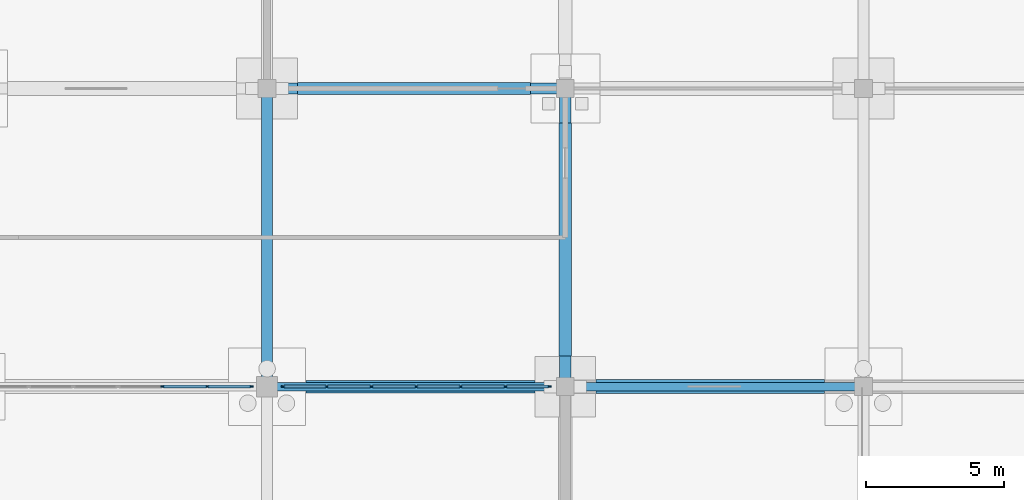
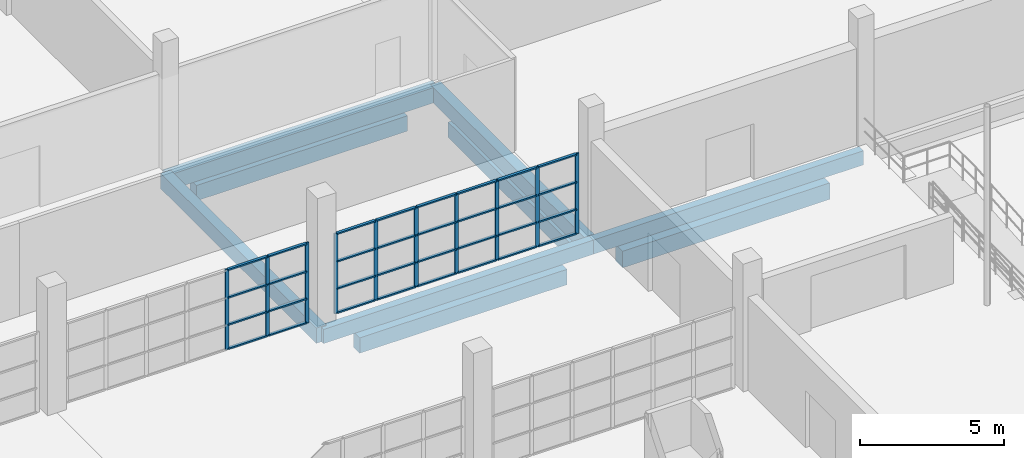
# One storey, part 77 of 138: 42 members, 9 beams, 2 elements without a shape of their own.
"""IFC4 building model written with IfcOpenShell, lengths in metres."""

from ifc_helpers import new_model, si_unit, direction, frame, origin, origin_2d, place, context, subcontext, project, spatial, rectangle, extrude, material, material_profile, profile_set, type_object, element, aggregate, save


model = new_model("IFC4")

# Units and contexts
model_context = context("Model", 3, precision=1e-05, world=origin(), true_north=direction((0.0, 1.0)))
body_context = subcontext(model_context, "Body", "Model", "MODEL_VIEW")
ifc_project = project(units=[si_unit("LENGTHUNIT", "METRE"), si_unit("AREAUNIT", "SQUARE_METRE"), si_unit("VOLUMEUNIT", "CUBIC_METRE"), si_unit("PLANEANGLEUNIT", "RADIAN"), si_unit("MASSUNIT", "GRAM", prefix="KILO")], contexts=[model_context])

# Site, building, storey
site_placement = place(None, origin())
site = spatial("IfcSite", under=ifc_project, at=site_placement, CompositionType="ELEMENT")
building_placement = place(site_placement, origin())
building = spatial("IfcBuilding", under=site, at=building_placement, Name="Zwinboog Wholesale Market", CompositionType="ELEMENT")
storey_placement = place(building_placement, origin())
storey = spatial("IfcBuildingStorey", under=building, at=storey_placement, Name="L00", CompositionType="ELEMENT", Elevation=0.0)

# Beams
ifc_material_1 = material(Name="Precast concrete C45/55", Category="concrete")
ifc_material_profile_1 = material_profile(ifc_material_1, rectangle(XDim=0.39990234375, YDim=0.64990234375, at=origin_2d()), Name="PC 400x650")
ifc_profile_set_1 = profile_set([ifc_material_profile_1], Name="Precast concrete C45/55")
beam_type_1 = type_object("IfcBeamType", Name="BT-05", PredefinedType="BEAM", material=ifc_profile_set_1)
for number, where, z_axis, x_axis, name in (
    (1, (162.0, 108.0, -0.719970703125), (1.0, 0.0, 0.0), (0.0, 1.0, 0.0), "BG-05 (BMG-L00-1620-1080-0166)"),
    (2, (162.0, 97.199951171875, -0.680908203125), (0.0, 1.0, 0.0), (-1.0, 0.0, 0.0), "BG-05 (BMG-L00-1620-0972-0374)"),
    (3, (172.800048828125, 97.199951171875, -0.719970703125), (0.0, 1.0, 0.0), (-1.0, 0.0, 0.0), "BG-05 (BMG-L00-1728-0972-0386)"),
):
    element("IfcBeam", number, at=place(storey_placement, frame(where, z_axis=z_axis, x_axis=x_axis)), inside=storey, type_object=beam_type_1, Name=name, PredefinedType="BEAM", context=body_context, shape_type="SweptSolid", body=[
        extrude(rectangle(XDim=0.39990234375, YDim=0.64990234375, at=origin_2d()), origin(), (0.0, 0.0, 1.0), 10.800048828125),
    ])
ifc_material_profile_2 = material_profile(ifc_material_1, rectangle(XDim=0.300048828125, YDim=0.60009765625, at=origin_2d()), Name="PC 300x600")
ifc_profile_set_2 = profile_set([ifc_material_profile_2], Name="Precast concrete C45/55")
beam_type_2 = type_object("IfcBeamType", Name="BT-09", PredefinedType="SPANDREL", material=ifc_profile_set_2)
for number, where, z_axis, x_axis, name in (
    (4, (162.0, 97.199951171875, -0.695068359375), (1.0, 0.0, 0.0), (0.0, 1.0, 0.0), "SP-02 (BMG-L00-1620-0972-0146)"),
    (5, (172.800048828125, 97.199951171875, -0.695068359375), (1.0, 0.0, 0.0), (0.0, 1.0, 0.0), "SP-02 (BMG-L00-1728-0972-0147)"),
):
    element("IfcBeam", number, at=place(storey_placement, frame(where, z_axis=z_axis, x_axis=x_axis)), inside=storey, type_object=beam_type_2, Name=name, PredefinedType="SPANDREL", context=body_context, shape_type="SweptSolid", body=[
        extrude(rectangle(XDim=0.300048828125, YDim=0.60009765625, at=origin_2d()), origin(), (0.0, 0.0, 1.0), 10.800048828125),
    ])
ifc_material_2 = material(Name="Concrete C35/45", Category="concrete")
ifc_material_profile_3 = material_profile(ifc_material_2, rectangle(XDim=0.5, YDim=0.699951171875, at=origin_2d()), Name="RC 500x700")
ifc_profile_set_3 = profile_set([ifc_material_profile_3], Name="Concrete C35/45")
beam_type_3 = type_object("IfcBeamType", Name="BT-12", PredefinedType="USERDEFINED", material=ifc_profile_set_3)
beam_1_placement = place(storey_placement, frame((173.905029296875, 97.199951171875, -1.550048828125), z_axis=(1.0, 0.0, 0.0), x_axis=(0.0, 1.0, 0.0)))
element("IfcBeam", 6, at=beam_1_placement, inside=storey, type_object=beam_type_3, Name="GB-01 (BM-GB-0083)", ObjectType="GROUND_BEAM", PredefinedType="USERDEFINED", context=body_context, shape_type="SweptSolid", body=[
    extrude(rectangle(XDim=0.5, YDim=0.699951171875, at=origin_2d()), origin(), (0.0, 0.0, 1.0), 8.2900390625),
])
ifc_material_profile_4 = material_profile(ifc_material_2, rectangle(XDim=0.449951171875, YDim=0.64990234375, at=origin_2d()), Name="RC 450x650")
ifc_profile_set_4 = profile_set([ifc_material_profile_4], Name="Concrete C35/45")
beam_type_4 = type_object("IfcBeamType", Name="BT-13", PredefinedType="USERDEFINED", material=ifc_profile_set_4)
beam_2_placement = place(storey_placement, frame((163.405029296875, 97.199951171875, -1.52490234375), z_axis=(1.0, 0.0, 0.0), x_axis=(0.0, 1.0, 0.0)))
element("IfcBeam", 7, at=beam_2_placement, inside=storey, type_object=beam_type_4, Name="GB-02 (BM-GB-0082)", ObjectType="GROUND_BEAM", PredefinedType="USERDEFINED", context=body_context, shape_type="SweptSolid", body=[
    extrude(rectangle(XDim=0.449951171875, YDim=0.64990234375, at=origin_2d()), origin(), (0.0, 0.0, 1.0), 8.2900390625),
])
beam_3_placement = place(storey_placement, frame((163.10498046875, 108.0, -1.52490234375), z_axis=(1.0, 0.0, 0.0), x_axis=(0.0, 1.0, 0.0)))
element("IfcBeam", 8, at=beam_3_placement, inside=storey, type_object=beam_type_4, Name="GB-02 (BM-GB-0102)", ObjectType="GROUND_BEAM", PredefinedType="USERDEFINED", context=body_context, shape_type="SweptSolid", body=[
    extrude(rectangle(XDim=0.449951171875, YDim=0.64990234375, at=origin_2d()), origin(), (0.0, 0.0, 1.0), 8.43994140625),
])
beam_4_placement = place(storey_placement, frame((172.800048828125, 98.304931640625, -1.52490234375), z_axis=(0.0, 1.0, 0.0), x_axis=(-1.0, 0.0, 0.0)))
element("IfcBeam", 9, at=beam_4_placement, inside=storey, type_object=beam_type_4, Name="GB-02 (BM-GB-0205)", ObjectType="GROUND_BEAM", PredefinedType="USERDEFINED", context=body_context, shape_type="SweptSolid", body=[
    extrude(rectangle(XDim=0.449951171875, YDim=0.64990234375, at=origin_2d()), origin(), (0.0, 0.0, 1.0), 8.440185546875),
])

# Curtain wall, members
ifc_material_3 = material(Name="Aluminium thermally broken curtain wall", Category="aluminium")
curtain_wall_type = type_object("IfcCurtainWallType", Name="CWT-INT-STALL", PredefinedType="USERDEFINED", material=ifc_material_3)
curtain_wall_1_placement = place(storey_placement, origin())
curtain_wall_1 = element("IfcCurtainWall", 10, at=curtain_wall_1_placement, inside=storey, type_object=curtain_wall_type, Name="CW-07 (CW-STL-207)", ObjectType="STOREFRONT_GLAZING", PredefinedType="USERDEFINED")
ifc_material_4 = material(Name="Aluminium EN AW-6060", Category="aluminium")
ifc_material_profile_5 = material_profile(ifc_material_4, rectangle(XDim=0.06005859375, YDim=0.14990234375, at=origin_2d()), Name="AL 60x150")
ifc_profile_set_5 = profile_set([ifc_material_profile_5], Name="Aluminium EN AW-6060")
member_type_1 = type_object("IfcMemberType", Name="CWM-INT-60x120", PredefinedType="MULLION", material=ifc_profile_set_5)
member_1_placement = place(storey_placement, frame((158.216552734375, 97.199951171875, 0.0), z_axis=(0.0, 0.0, 1.0), x_axis=(0.0, 1.0, 0.0)))
member_1 = element("IfcMember", 11, at=member_1_placement, type_object=member_type_1, Name="CW-07 mullion 5", PredefinedType="MULLION", context=body_context, shape_type="SweptSolid", body=[
    extrude(rectangle(XDim=0.06005859375, YDim=0.14990234375, at=origin_2d()), origin(), (0.0, 0.0, 1.0), 3.39990234375),
])
member_2_placement = place(storey_placement, frame((159.833251953125, 97.199951171875, 0.0), z_axis=(0.0, 0.0, 1.0), x_axis=(0.0, 1.0, 0.0)))
member_2 = element("IfcMember", 12, at=member_2_placement, type_object=member_type_1, Name="CW-07 mullion 6", PredefinedType="MULLION", context=body_context, shape_type="SweptSolid", body=[
    extrude(rectangle(XDim=0.06005859375, YDim=0.14990234375, at=origin_2d()), origin(), (0.0, 0.0, 1.0), 3.39990234375),
])
member_3_placement = place(storey_placement, frame((161.419921875, 97.199951171875, 0.0), z_axis=(0.0, 0.0, 1.0), x_axis=(0.0, 1.0, 0.0)))
member_3 = element("IfcMember", 13, at=member_3_placement, type_object=member_type_1, Name="CW-07 mullion 7", PredefinedType="MULLION", context=body_context, shape_type="SweptSolid", body=[
    extrude(rectangle(XDim=0.06005859375, YDim=0.14990234375, at=origin_2d()), origin(), (0.0, 0.0, 1.0), 3.39990234375),
])

curtain_wall_2_placement = place(storey_placement, origin())
curtain_wall_2 = element("IfcCurtainWall", 14, at=curtain_wall_2_placement, inside=storey, type_object=curtain_wall_type, Name="CW-07 (CW-STL-208)", ObjectType="STOREFRONT_GLAZING", PredefinedType="USERDEFINED")
member_4_placement = place(storey_placement, frame((162.580078125, 97.199951171875, 0.0), z_axis=(0.0, 0.0, 1.0), x_axis=(0.0, 1.0, 0.0)))
member_4 = element("IfcMember", 15, at=member_4_placement, type_object=member_type_1, Name="CW-07 mullion 1", PredefinedType="MULLION", context=body_context, shape_type="SweptSolid", body=[
    extrude(rectangle(XDim=0.06005859375, YDim=0.14990234375, at=origin_2d()), origin(), (0.0, 0.0, 1.0), 3.39990234375),
])
member_5_placement = place(storey_placement, frame((164.166748046875, 97.199951171875, 0.0), z_axis=(0.0, 0.0, 1.0), x_axis=(0.0, 1.0, 0.0)))
member_5 = element("IfcMember", 16, at=member_5_placement, type_object=member_type_1, Name="CW-07 mullion 2", PredefinedType="MULLION", context=body_context, shape_type="SweptSolid", body=[
    extrude(rectangle(XDim=0.06005859375, YDim=0.14990234375, at=origin_2d()), origin(), (0.0, 0.0, 1.0), 3.39990234375),
])
member_6_placement = place(storey_placement, frame((165.783447265625, 97.199951171875, 0.0), z_axis=(0.0, 0.0, 1.0), x_axis=(0.0, 1.0, 0.0)))
member_6 = element("IfcMember", 17, at=member_6_placement, type_object=member_type_1, Name="CW-07 mullion 3", PredefinedType="MULLION", context=body_context, shape_type="SweptSolid", body=[
    extrude(rectangle(XDim=0.06005859375, YDim=0.14990234375, at=origin_2d()), origin(), (0.0, 0.0, 1.0), 3.39990234375),
])
member_7_placement = place(storey_placement, frame((167.39990234375, 97.199951171875, 0.0), z_axis=(0.0, 0.0, 1.0), x_axis=(0.0, 1.0, 0.0)))
member_7 = element("IfcMember", 18, at=member_7_placement, type_object=member_type_1, Name="CW-07 mullion 4", PredefinedType="MULLION", context=body_context, shape_type="SweptSolid", body=[
    extrude(rectangle(XDim=0.06005859375, YDim=0.14990234375, at=origin_2d()), origin(), (0.0, 0.0, 1.0), 3.39990234375),
])
member_8_placement = place(storey_placement, frame((169.0166015625, 97.199951171875, 0.0), z_axis=(0.0, 0.0, 1.0), x_axis=(0.0, 1.0, 0.0)))
member_8 = element("IfcMember", 19, at=member_8_placement, type_object=member_type_1, Name="CW-07 mullion 5", PredefinedType="MULLION", context=body_context, shape_type="SweptSolid", body=[
    extrude(rectangle(XDim=0.06005859375, YDim=0.14990234375, at=origin_2d()), origin(), (0.0, 0.0, 1.0), 3.39990234375),
])
member_9_placement = place(storey_placement, frame((170.63330078125, 97.199951171875, 0.0), z_axis=(0.0, 0.0, 1.0), x_axis=(0.0, 1.0, 0.0)))
member_9 = element("IfcMember", 20, at=member_9_placement, type_object=member_type_1, Name="CW-07 mullion 6", PredefinedType="MULLION", context=body_context, shape_type="SweptSolid", body=[
    extrude(rectangle(XDim=0.06005859375, YDim=0.14990234375, at=origin_2d()), origin(), (0.0, 0.0, 1.0), 3.39990234375),
])
member_10_placement = place(storey_placement, frame((172.219970703125, 97.199951171875, 0.0), z_axis=(0.0, 0.0, 1.0), x_axis=(0.0, 1.0, 0.0)))
member_10 = element("IfcMember", 21, at=member_10_placement, type_object=member_type_1, Name="CW-07 mullion 7", PredefinedType="MULLION", context=body_context, shape_type="SweptSolid", body=[
    extrude(rectangle(XDim=0.06005859375, YDim=0.14990234375, at=origin_2d()), origin(), (0.0, 0.0, 1.0), 3.39990234375),
])

# Member
ifc_material_profile_6 = material_profile(ifc_material_4, rectangle(XDim=0.110107421875, YDim=0.06005859375, at=origin_2d()), Name="AL 60x110")
ifc_profile_set_6 = profile_set([ifc_material_profile_6], Name="Aluminium EN AW-6060")
member_type_2 = type_object("IfcMemberType", Name="CWT-INT-60x100", PredefinedType="USERDEFINED", material=ifc_profile_set_6)
member_11_placement = place(storey_placement, frame((158.24658203125, 97.199951171875, 0.030029296875), z_axis=(1.0, 0.0, 0.0), x_axis=(0.0, 1.0, 0.0)))
member_11 = element("IfcMember", 22, at=member_11_placement, type_object=member_type_2, Name="CW-07 transom 5.1", ObjectType="TRANSOM", PredefinedType="USERDEFINED", context=body_context, shape_type="SweptSolid", body=[
    extrude(rectangle(XDim=0.110107421875, YDim=0.06005859375, at=origin_2d()), origin(), (0.0, 0.0, 1.0), 1.556640625),
])

member_12_placement = place(storey_placement, frame((158.24658203125, 97.199951171875, 1.050048828125), z_axis=(1.0, 0.0, 0.0), x_axis=(0.0, 1.0, 0.0)))
member_12 = element("IfcMember", 23, at=member_12_placement, type_object=member_type_2, Name="CW-07 transom 5.2", ObjectType="TRANSOM", PredefinedType="USERDEFINED", context=body_context, shape_type="SweptSolid", body=[
    extrude(rectangle(XDim=0.110107421875, YDim=0.06005859375, at=origin_2d()), origin(), (0.0, 0.0, 1.0), 1.556640625),
])

member_13_placement = place(storey_placement, frame((158.24658203125, 97.199951171875, 2.199951171875), z_axis=(1.0, 0.0, 0.0), x_axis=(0.0, 1.0, 0.0)))
member_13 = element("IfcMember", 24, at=member_13_placement, type_object=member_type_2, Name="CW-07 transom 5.3", ObjectType="TRANSOM", PredefinedType="USERDEFINED", context=body_context, shape_type="SweptSolid", body=[
    extrude(rectangle(XDim=0.110107421875, YDim=0.06005859375, at=origin_2d()), origin(), (0.0, 0.0, 1.0), 1.556640625),
])

member_14_placement = place(storey_placement, frame((158.24658203125, 97.199951171875, 3.3701171875), z_axis=(1.0, 0.0, 0.0), x_axis=(0.0, 1.0, 0.0)))
member_14 = element("IfcMember", 25, at=member_14_placement, type_object=member_type_2, Name="CW-07 transom 5.4", ObjectType="TRANSOM", PredefinedType="USERDEFINED", context=body_context, shape_type="SweptSolid", body=[
    extrude(rectangle(XDim=0.110107421875, YDim=0.06005859375, at=origin_2d()), origin(), (0.0, 0.0, 1.0), 1.556640625),
])

member_15_placement = place(storey_placement, frame((159.86328125, 97.199951171875, 0.030029296875), z_axis=(1.0, 0.0, 0.0), x_axis=(0.0, 1.0, 0.0)))
member_15 = element("IfcMember", 26, at=member_15_placement, type_object=member_type_2, Name="CW-07 transom 6.1", ObjectType="TRANSOM", PredefinedType="USERDEFINED", context=body_context, shape_type="SweptSolid", body=[
    extrude(rectangle(XDim=0.110107421875, YDim=0.06005859375, at=origin_2d()), origin(), (0.0, 0.0, 1.0), 1.526611328125),
])

member_16_placement = place(storey_placement, frame((159.86328125, 97.199951171875, 1.050048828125), z_axis=(1.0, 0.0, 0.0), x_axis=(0.0, 1.0, 0.0)))
member_16 = element("IfcMember", 27, at=member_16_placement, type_object=member_type_2, Name="CW-07 transom 6.2", ObjectType="TRANSOM", PredefinedType="USERDEFINED", context=body_context, shape_type="SweptSolid", body=[
    extrude(rectangle(XDim=0.110107421875, YDim=0.06005859375, at=origin_2d()), origin(), (0.0, 0.0, 1.0), 1.526611328125),
])

member_17_placement = place(storey_placement, frame((159.86328125, 97.199951171875, 2.199951171875), z_axis=(1.0, 0.0, 0.0), x_axis=(0.0, 1.0, 0.0)))
member_17 = element("IfcMember", 28, at=member_17_placement, type_object=member_type_2, Name="CW-07 transom 6.3", ObjectType="TRANSOM", PredefinedType="USERDEFINED", context=body_context, shape_type="SweptSolid", body=[
    extrude(rectangle(XDim=0.110107421875, YDim=0.06005859375, at=origin_2d()), origin(), (0.0, 0.0, 1.0), 1.526611328125),
])

member_18_placement = place(storey_placement, frame((159.86328125, 97.199951171875, 3.3701171875), z_axis=(1.0, 0.0, 0.0), x_axis=(0.0, 1.0, 0.0)))
member_18 = element("IfcMember", 29, at=member_18_placement, type_object=member_type_2, Name="CW-07 transom 6.4", ObjectType="TRANSOM", PredefinedType="USERDEFINED", context=body_context, shape_type="SweptSolid", body=[
    extrude(rectangle(XDim=0.110107421875, YDim=0.06005859375, at=origin_2d()), origin(), (0.0, 0.0, 1.0), 1.526611328125),
])

aggregate(curtain_wall_1, [member_1, member_2, member_3, member_11, member_12, member_13, member_14, member_15, member_16, member_17, member_18])

member_19_placement = place(storey_placement, frame((162.610107421875, 97.199951171875, 0.030029296875), z_axis=(1.0, 0.0, 0.0), x_axis=(0.0, 1.0, 0.0)))
member_19 = element("IfcMember", 30, at=member_19_placement, type_object=member_type_2, Name="CW-07 transom 1.1", ObjectType="TRANSOM", PredefinedType="USERDEFINED", context=body_context, shape_type="SweptSolid", body=[
    extrude(rectangle(XDim=0.110107421875, YDim=0.06005859375, at=origin_2d()), origin(), (0.0, 0.0, 1.0), 1.526611328125),
])

member_20_placement = place(storey_placement, frame((162.610107421875, 97.199951171875, 1.050048828125), z_axis=(1.0, 0.0, 0.0), x_axis=(0.0, 1.0, 0.0)))
member_20 = element("IfcMember", 31, at=member_20_placement, type_object=member_type_2, Name="CW-07 transom 1.2", ObjectType="TRANSOM", PredefinedType="USERDEFINED", context=body_context, shape_type="SweptSolid", body=[
    extrude(rectangle(XDim=0.110107421875, YDim=0.06005859375, at=origin_2d()), origin(), (0.0, 0.0, 1.0), 1.526611328125),
])

member_21_placement = place(storey_placement, frame((162.610107421875, 97.199951171875, 2.199951171875), z_axis=(1.0, 0.0, 0.0), x_axis=(0.0, 1.0, 0.0)))
member_21 = element("IfcMember", 32, at=member_21_placement, type_object=member_type_2, Name="CW-07 transom 1.3", ObjectType="TRANSOM", PredefinedType="USERDEFINED", context=body_context, shape_type="SweptSolid", body=[
    extrude(rectangle(XDim=0.110107421875, YDim=0.06005859375, at=origin_2d()), origin(), (0.0, 0.0, 1.0), 1.526611328125),
])

member_22_placement = place(storey_placement, frame((162.610107421875, 97.199951171875, 3.3701171875), z_axis=(1.0, 0.0, 0.0), x_axis=(0.0, 1.0, 0.0)))
member_22 = element("IfcMember", 33, at=member_22_placement, type_object=member_type_2, Name="CW-07 transom 1.4", ObjectType="TRANSOM", PredefinedType="USERDEFINED", context=body_context, shape_type="SweptSolid", body=[
    extrude(rectangle(XDim=0.110107421875, YDim=0.06005859375, at=origin_2d()), origin(), (0.0, 0.0, 1.0), 1.526611328125),
])

member_23_placement = place(storey_placement, frame((164.19677734375, 97.199951171875, 0.030029296875), z_axis=(1.0, 0.0, 0.0), x_axis=(0.0, 1.0, 0.0)))
member_23 = element("IfcMember", 34, at=member_23_placement, type_object=member_type_2, Name="CW-07 transom 2.1", ObjectType="TRANSOM", PredefinedType="USERDEFINED", context=body_context, shape_type="SweptSolid", body=[
    extrude(rectangle(XDim=0.110107421875, YDim=0.06005859375, at=origin_2d()), origin(), (0.0, 0.0, 1.0), 1.556640625),
])

member_24_placement = place(storey_placement, frame((164.19677734375, 97.199951171875, 1.050048828125), z_axis=(1.0, 0.0, 0.0), x_axis=(0.0, 1.0, 0.0)))
member_24 = element("IfcMember", 35, at=member_24_placement, type_object=member_type_2, Name="CW-07 transom 2.2", ObjectType="TRANSOM", PredefinedType="USERDEFINED", context=body_context, shape_type="SweptSolid", body=[
    extrude(rectangle(XDim=0.110107421875, YDim=0.06005859375, at=origin_2d()), origin(), (0.0, 0.0, 1.0), 1.556640625),
])

member_25_placement = place(storey_placement, frame((164.19677734375, 97.199951171875, 2.199951171875), z_axis=(1.0, 0.0, 0.0), x_axis=(0.0, 1.0, 0.0)))
member_25 = element("IfcMember", 36, at=member_25_placement, type_object=member_type_2, Name="CW-07 transom 2.3", ObjectType="TRANSOM", PredefinedType="USERDEFINED", context=body_context, shape_type="SweptSolid", body=[
    extrude(rectangle(XDim=0.110107421875, YDim=0.06005859375, at=origin_2d()), origin(), (0.0, 0.0, 1.0), 1.556640625),
])

member_26_placement = place(storey_placement, frame((164.19677734375, 97.199951171875, 3.3701171875), z_axis=(1.0, 0.0, 0.0), x_axis=(0.0, 1.0, 0.0)))
member_26 = element("IfcMember", 37, at=member_26_placement, type_object=member_type_2, Name="CW-07 transom 2.4", ObjectType="TRANSOM", PredefinedType="USERDEFINED", context=body_context, shape_type="SweptSolid", body=[
    extrude(rectangle(XDim=0.110107421875, YDim=0.06005859375, at=origin_2d()), origin(), (0.0, 0.0, 1.0), 1.556640625),
])

member_27_placement = place(storey_placement, frame((165.813232421875, 97.199951171875, 0.030029296875), z_axis=(1.0, 0.0, 0.0), x_axis=(0.0, 1.0, 0.0)))
member_27 = element("IfcMember", 38, at=member_27_placement, type_object=member_type_2, Name="CW-07 transom 3.1", ObjectType="TRANSOM", PredefinedType="USERDEFINED", context=body_context, shape_type="SweptSolid", body=[
    extrude(rectangle(XDim=0.110107421875, YDim=0.06005859375, at=origin_2d()), origin(), (0.0, 0.0, 1.0), 1.556884765625),
])

member_28_placement = place(storey_placement, frame((165.813232421875, 97.199951171875, 1.050048828125), z_axis=(1.0, 0.0, 0.0), x_axis=(0.0, 1.0, 0.0)))
member_28 = element("IfcMember", 39, at=member_28_placement, type_object=member_type_2, Name="CW-07 transom 3.2", ObjectType="TRANSOM", PredefinedType="USERDEFINED", context=body_context, shape_type="SweptSolid", body=[
    extrude(rectangle(XDim=0.110107421875, YDim=0.06005859375, at=origin_2d()), origin(), (0.0, 0.0, 1.0), 1.556884765625),
])

member_29_placement = place(storey_placement, frame((165.813232421875, 97.199951171875, 2.199951171875), z_axis=(1.0, 0.0, 0.0), x_axis=(0.0, 1.0, 0.0)))
member_29 = element("IfcMember", 40, at=member_29_placement, type_object=member_type_2, Name="CW-07 transom 3.3", ObjectType="TRANSOM", PredefinedType="USERDEFINED", context=body_context, shape_type="SweptSolid", body=[
    extrude(rectangle(XDim=0.110107421875, YDim=0.06005859375, at=origin_2d()), origin(), (0.0, 0.0, 1.0), 1.556884765625),
])

member_30_placement = place(storey_placement, frame((165.813232421875, 97.199951171875, 3.3701171875), z_axis=(1.0, 0.0, 0.0), x_axis=(0.0, 1.0, 0.0)))
member_30 = element("IfcMember", 41, at=member_30_placement, type_object=member_type_2, Name="CW-07 transom 3.4", ObjectType="TRANSOM", PredefinedType="USERDEFINED", context=body_context, shape_type="SweptSolid", body=[
    extrude(rectangle(XDim=0.110107421875, YDim=0.06005859375, at=origin_2d()), origin(), (0.0, 0.0, 1.0), 1.556884765625),
])

member_31_placement = place(storey_placement, frame((167.429931640625, 97.199951171875, 0.030029296875), z_axis=(1.0, 0.0, 0.0), x_axis=(0.0, 1.0, 0.0)))
member_31 = element("IfcMember", 42, at=member_31_placement, type_object=member_type_2, Name="CW-07 transom 4.1", ObjectType="TRANSOM", PredefinedType="USERDEFINED", context=body_context, shape_type="SweptSolid", body=[
    extrude(rectangle(XDim=0.110107421875, YDim=0.06005859375, at=origin_2d()), origin(), (0.0, 0.0, 1.0), 1.556640625),
])

member_32_placement = place(storey_placement, frame((167.429931640625, 97.199951171875, 1.050048828125), z_axis=(1.0, 0.0, 0.0), x_axis=(0.0, 1.0, 0.0)))
member_32 = element("IfcMember", 43, at=member_32_placement, type_object=member_type_2, Name="CW-07 transom 4.2", ObjectType="TRANSOM", PredefinedType="USERDEFINED", context=body_context, shape_type="SweptSolid", body=[
    extrude(rectangle(XDim=0.110107421875, YDim=0.06005859375, at=origin_2d()), origin(), (0.0, 0.0, 1.0), 1.556640625),
])

member_33_placement = place(storey_placement, frame((167.429931640625, 97.199951171875, 2.199951171875), z_axis=(1.0, 0.0, 0.0), x_axis=(0.0, 1.0, 0.0)))
member_33 = element("IfcMember", 44, at=member_33_placement, type_object=member_type_2, Name="CW-07 transom 4.3", ObjectType="TRANSOM", PredefinedType="USERDEFINED", context=body_context, shape_type="SweptSolid", body=[
    extrude(rectangle(XDim=0.110107421875, YDim=0.06005859375, at=origin_2d()), origin(), (0.0, 0.0, 1.0), 1.556640625),
])

member_34_placement = place(storey_placement, frame((167.429931640625, 97.199951171875, 3.3701171875), z_axis=(1.0, 0.0, 0.0), x_axis=(0.0, 1.0, 0.0)))
member_34 = element("IfcMember", 45, at=member_34_placement, type_object=member_type_2, Name="CW-07 transom 4.4", ObjectType="TRANSOM", PredefinedType="USERDEFINED", context=body_context, shape_type="SweptSolid", body=[
    extrude(rectangle(XDim=0.110107421875, YDim=0.06005859375, at=origin_2d()), origin(), (0.0, 0.0, 1.0), 1.556640625),
])

member_35_placement = place(storey_placement, frame((169.046630859375, 97.199951171875, 0.030029296875), z_axis=(1.0, 0.0, 0.0), x_axis=(0.0, 1.0, 0.0)))
member_35 = element("IfcMember", 46, at=member_35_placement, type_object=member_type_2, Name="CW-07 transom 5.1", ObjectType="TRANSOM", PredefinedType="USERDEFINED", context=body_context, shape_type="SweptSolid", body=[
    extrude(rectangle(XDim=0.110107421875, YDim=0.06005859375, at=origin_2d()), origin(), (0.0, 0.0, 1.0), 1.556640625),
])

member_36_placement = place(storey_placement, frame((169.046630859375, 97.199951171875, 1.050048828125), z_axis=(1.0, 0.0, 0.0), x_axis=(0.0, 1.0, 0.0)))
member_36 = element("IfcMember", 47, at=member_36_placement, type_object=member_type_2, Name="CW-07 transom 5.2", ObjectType="TRANSOM", PredefinedType="USERDEFINED", context=body_context, shape_type="SweptSolid", body=[
    extrude(rectangle(XDim=0.110107421875, YDim=0.06005859375, at=origin_2d()), origin(), (0.0, 0.0, 1.0), 1.556640625),
])

member_37_placement = place(storey_placement, frame((169.046630859375, 97.199951171875, 2.199951171875), z_axis=(1.0, 0.0, 0.0), x_axis=(0.0, 1.0, 0.0)))
member_37 = element("IfcMember", 48, at=member_37_placement, type_object=member_type_2, Name="CW-07 transom 5.3", ObjectType="TRANSOM", PredefinedType="USERDEFINED", context=body_context, shape_type="SweptSolid", body=[
    extrude(rectangle(XDim=0.110107421875, YDim=0.06005859375, at=origin_2d()), origin(), (0.0, 0.0, 1.0), 1.556640625),
])

member_38_placement = place(storey_placement, frame((169.046630859375, 97.199951171875, 3.3701171875), z_axis=(1.0, 0.0, 0.0), x_axis=(0.0, 1.0, 0.0)))
member_38 = element("IfcMember", 49, at=member_38_placement, type_object=member_type_2, Name="CW-07 transom 5.4", ObjectType="TRANSOM", PredefinedType="USERDEFINED", context=body_context, shape_type="SweptSolid", body=[
    extrude(rectangle(XDim=0.110107421875, YDim=0.06005859375, at=origin_2d()), origin(), (0.0, 0.0, 1.0), 1.556640625),
])

member_39_placement = place(storey_placement, frame((170.663330078125, 97.199951171875, 0.030029296875), z_axis=(1.0, 0.0, 0.0), x_axis=(0.0, 1.0, 0.0)))
member_39 = element("IfcMember", 50, at=member_39_placement, type_object=member_type_2, Name="CW-07 transom 6.1", ObjectType="TRANSOM", PredefinedType="USERDEFINED", context=body_context, shape_type="SweptSolid", body=[
    extrude(rectangle(XDim=0.110107421875, YDim=0.06005859375, at=origin_2d()), origin(), (0.0, 0.0, 1.0), 1.526611328125),
])

member_40_placement = place(storey_placement, frame((170.663330078125, 97.199951171875, 1.050048828125), z_axis=(1.0, 0.0, 0.0), x_axis=(0.0, 1.0, 0.0)))
member_40 = element("IfcMember", 51, at=member_40_placement, type_object=member_type_2, Name="CW-07 transom 6.2", ObjectType="TRANSOM", PredefinedType="USERDEFINED", context=body_context, shape_type="SweptSolid", body=[
    extrude(rectangle(XDim=0.110107421875, YDim=0.06005859375, at=origin_2d()), origin(), (0.0, 0.0, 1.0), 1.526611328125),
])

member_41_placement = place(storey_placement, frame((170.663330078125, 97.199951171875, 2.199951171875), z_axis=(1.0, 0.0, 0.0), x_axis=(0.0, 1.0, 0.0)))
member_41 = element("IfcMember", 52, at=member_41_placement, type_object=member_type_2, Name="CW-07 transom 6.3", ObjectType="TRANSOM", PredefinedType="USERDEFINED", context=body_context, shape_type="SweptSolid", body=[
    extrude(rectangle(XDim=0.110107421875, YDim=0.06005859375, at=origin_2d()), origin(), (0.0, 0.0, 1.0), 1.526611328125),
])

member_42_placement = place(storey_placement, frame((170.663330078125, 97.199951171875, 3.3701171875), z_axis=(1.0, 0.0, 0.0), x_axis=(0.0, 1.0, 0.0)))
member_42 = element("IfcMember", 53, at=member_42_placement, type_object=member_type_2, Name="CW-07 transom 6.4", ObjectType="TRANSOM", PredefinedType="USERDEFINED", context=body_context, shape_type="SweptSolid", body=[
    extrude(rectangle(XDim=0.110107421875, YDim=0.06005859375, at=origin_2d()), origin(), (0.0, 0.0, 1.0), 1.526611328125),
])

aggregate(curtain_wall_2, [member_4, member_5, member_6, member_7, member_8, member_9, member_10, member_19, member_20, member_21, member_22, member_23, member_24, member_25, member_26, member_27, member_28, member_29, member_30, member_31, member_32, member_33, member_34, member_35, member_36, member_37, member_38, member_39, member_40, member_41, member_42])

save(model, "model.ifc")
